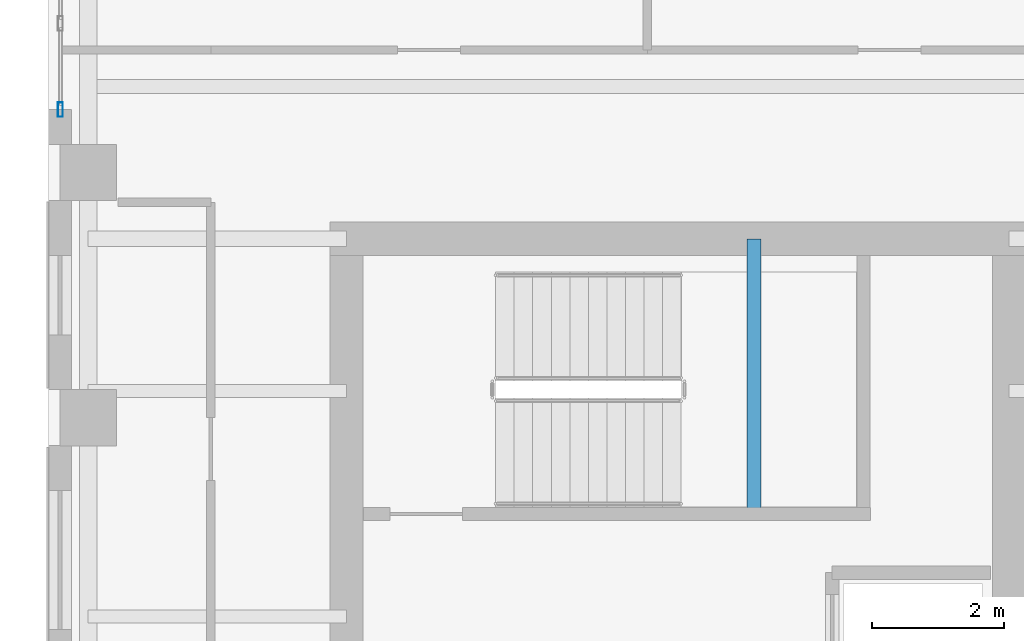
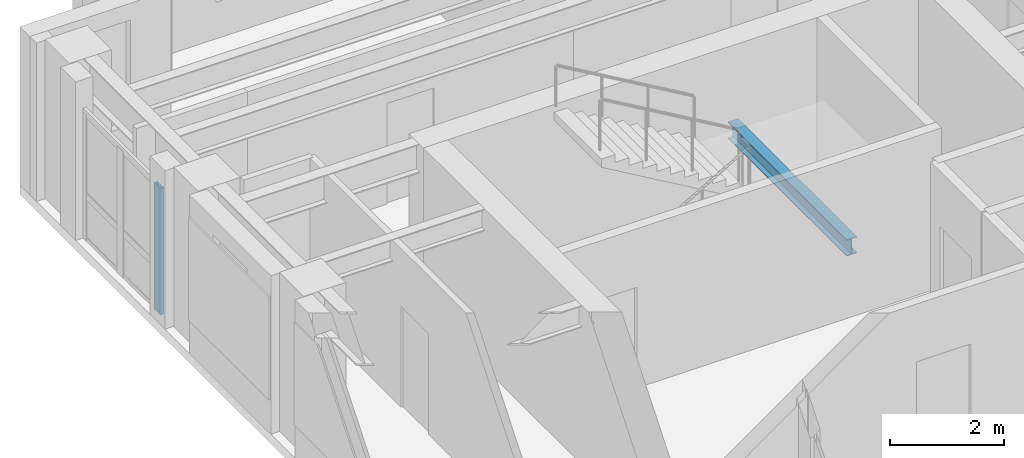
# One storey, part 2 of 10: 1 beam, 1 member, 1 element without a shape of its own.
"""IFC4 building model written with IfcOpenShell, lengths in metres."""

import ifcopenshell
import ifcopenshell.guid

model = None  # the IFC model being written
_history = None  # IfcOwnerHistory: only IFC2X3 demands one
_inside = {}  # id of a spatial element -> (the spatial element, [elements in it])
_under = {}  # id of a project, library or spatial element -> (it, [spatial elements below it])
_declared = {}  # id of a project -> (the project, [libraries it declares])
_typed = {}  # id of a type object -> (the type object, [elements of that type])
_made_of = {}  # id of a material, layer set ... -> (it, [elements and type objects made of it])


def new_model(schema):
    """Start an empty IFC model of exactly this schema.

    Asked for "IFC4X3", IfcOpenShell would pick the latest addendum, in which some entities
    have other attributes; the version numbers below select the first issue.
    IFC2X3 requires an IfcOwnerHistory on every rooted entity: one is made here for all.
    """
    global model, _history
    if schema == "IFC4X3":
        model = ifcopenshell.file(schema_version=(4, 3, 0, 0))
    else:
        model = ifcopenshell.file(schema=schema)
    _inside.clear()
    _under.clear()
    _declared.clear()
    _typed.clear()
    _made_of.clear()
    _history = None
    if model.schema == "IFC2X3":
        org = make("IfcOrganization", Name="unknown")
        user = make(
            "IfcPersonAndOrganization",
            ThePerson=make("IfcPerson", FamilyName="unknown"),
            TheOrganization=org,
        )
        app = make(
            "IfcApplication",
            ApplicationDeveloper=org,
            Version="unknown",
            ApplicationFullName="unknown",
            ApplicationIdentifier="unknown",
        )
        _history = make(
            "IfcOwnerHistory",
            OwningUser=user,
            OwningApplication=app,
            ChangeAction="ADDED",
            CreationDate=0,
        )
    return model


def make(cls, **values):
    """One entity of the class cls with the attributes given. An attribute that is None is left unset."""
    return model.create_entity(
        cls, **{name: value for name, value in values.items() if value is not None}
    )


def rooted(cls, **values):
    """An entity with a GlobalId (a new one), such as an element, a storey or a relation."""
    return make(cls, GlobalId=ifcopenshell.guid.new(), OwnerHistory=_history, **values)


def si_unit(unit_type, name, prefix=None):
    """IfcSIUnit, for example si_unit("LENGTHUNIT", "METRE", prefix="MILLI")."""
    return make("IfcSIUnit", UnitType=unit_type, Prefix=prefix, Name=name)


def assignment(units):
    """IfcUnitAssignment: the units of a project."""
    return None if units is None else make("IfcUnitAssignment", Units=units)


def point(xyz):
    """IfcCartesianPoint."""
    return None if xyz is None else make("IfcCartesianPoint", Coordinates=xyz)


def direction(xyz):
    """IfcDirection."""
    return None if xyz is None else make("IfcDirection", DirectionRatios=xyz)


def frame(location, z_axis=None, x_axis=None):
    """IfcAxis2Placement3D, a coordinate frame: its origin and axes. An axis left out is left unset."""
    return make(
        "IfcAxis2Placement3D",
        Location=point(location),
        Axis=direction(z_axis),
        RefDirection=direction(x_axis),
    )


def frame_2d(location, x_axis=None):
    """IfcAxis2Placement2D, a coordinate frame in the plane: its origin and x axis."""
    return make(
        "IfcAxis2Placement2D", Location=point(location), RefDirection=direction(x_axis)
    )


def origin():
    """The frame at (0, 0, 0) with its axes left unset."""
    return frame((0.0, 0.0, 0.0))


def origin_2d():
    """The frame at (0, 0) in the plane with its x axis left unset."""
    return frame_2d((0.0, 0.0))


def place(relative_to, where):
    """IfcLocalPlacement: puts the frame where relative to a parent placement (None: the world)."""
    return make(
        "IfcLocalPlacement", PlacementRelTo=relative_to, RelativePlacement=where
    )


def context(
    kind, dimensions, precision=None, world=None, true_north=None, identifier=None
):
    """IfcGeometricRepresentationContext, for example the 3D "Model" context."""
    return make(
        "IfcGeometricRepresentationContext",
        ContextIdentifier=identifier,
        ContextType=kind,
        CoordinateSpaceDimension=dimensions,
        Precision=precision,
        WorldCoordinateSystem=world,
        TrueNorth=true_north,
    )


def subcontext(parent, identifier, kind, view, scale=None):
    """IfcGeometricRepresentationSubContext, for example "Body" below "Model"."""
    return make(
        "IfcGeometricRepresentationSubContext",
        ContextIdentifier=identifier,
        ContextType=kind,
        ParentContext=parent,
        TargetScale=scale,
        TargetView=view,
    )


def project(units=None, contexts=None):
    """IfcProject with its units and contexts."""
    return rooted(
        "IfcProject",
        Name="project",
        RepresentationContexts=contexts,
        UnitsInContext=assignment(units),
    )


def spatial(cls, under=None, at=None, **own):
    """A site, building, storey or space (cls), placed at a placement, below another one or the project."""
    s = rooted(cls, ObjectPlacement=at, **own)
    if under is not None:
        _under.setdefault(under.id(), (under, []))[1].append(s)
    return s


def profile(cls, at=None, kind="AREA", **sizes):
    """A parametric profile (cls). Its sizes go by their IFC names, for example OverallWidth=200.0."""
    return make(cls, ProfileType=kind, Position=at, **sizes)


def hollow_rectangle(**sizes):
    """IfcRectangleHollowProfileDef."""
    return profile("IfcRectangleHollowProfileDef", **sizes)


def i_section(**sizes):
    """IfcIShapeProfileDef."""
    return profile("IfcIShapeProfileDef", **sizes)


def extrude(swept, where, along, depth):
    """IfcExtrudedAreaSolid: the profile swept, set in the frame where, extruded along a direction by depth."""
    return make(
        "IfcExtrudedAreaSolid",
        SweptArea=swept,
        Position=where,
        ExtrudedDirection=direction(along),
        Depth=depth,
    )


def shape(context_of_items, identifier, shape_type, items):
    """IfcShapeRepresentation: the items that make up one representation, for example the "Body"."""
    return make(
        "IfcShapeRepresentation",
        ContextOfItems=context_of_items,
        RepresentationIdentifier=identifier,
        RepresentationType=shape_type,
        Items=items,
    )


def source(mapping_origin, context_of_items, identifier, shape_type, items):
    """IfcRepresentationMap: a shape defined once, which mapped items show again and again."""
    return make(
        "IfcRepresentationMap",
        MappingOrigin=mapping_origin,
        MappedRepresentation=shape(context_of_items, identifier, shape_type, items),
    )


def transform(
    local_origin,
    x_axis=None,
    y_axis=None,
    z_axis=None,
    scale=None,
    scale2=None,
    scale3=None,
    uniform=True,
):
    """IfcCartesianTransformationOperator3D, or its non-uniform kind. x_axis, y_axis, z_axis: its Axis1, 2, 3."""
    if uniform:
        return make(
            "IfcCartesianTransformationOperator3D",
            Axis1=direction(x_axis),
            Axis2=direction(y_axis),
            LocalOrigin=point(local_origin),
            Scale=scale,
            Axis3=direction(z_axis),
        )
    return make(
        "IfcCartesianTransformationOperator3DnonUniform",
        Axis1=direction(x_axis),
        Axis2=direction(y_axis),
        LocalOrigin=point(local_origin),
        Scale=scale,
        Axis3=direction(z_axis),
        Scale2=scale2,
        Scale3=scale3,
    )


def mapped(mapping_source, mapping_target):
    """IfcMappedItem: shows the shape of a source again, moved by a transform."""
    return make(
        "IfcMappedItem", MappingSource=mapping_source, MappingTarget=mapping_target
    )


def material(Name=None, Category=None):
    """IfcMaterial."""
    return make("IfcMaterial", Name=Name, Category=Category)


def layer(
    of_material, thickness, ventilated=None, Name=None, Category=None, Priority=None
):
    """IfcMaterialLayer: one layer of a wall or slab, of a material (None: an air gap)."""
    return make(
        "IfcMaterialLayer",
        Material=of_material,
        LayerThickness=thickness,
        IsVentilated=ventilated,
        Name=Name,
        Category=Category,
        Priority=Priority,
    )


def layer_set(layers, Name=None):
    """IfcMaterialLayerSet."""
    return make("IfcMaterialLayerSet", MaterialLayers=layers, LayerSetName=Name)


def material_profile(
    of_material, cross_section, Name=None, Category=None, Priority=None
):
    """IfcMaterialProfile: a cross section and its material."""
    return make(
        "IfcMaterialProfile",
        Name=Name,
        Material=of_material,
        Profile=cross_section,
        Priority=Priority,
        Category=Category,
    )


def profile_set(profiles, Name=None, composite=None):
    """IfcMaterialProfileSet."""
    return make(
        "IfcMaterialProfileSet",
        Name=Name,
        MaterialProfiles=profiles,
        CompositeProfile=composite,
    )


def made_of(thing, what):
    """Note that an element or type object is made of a material, layer set ...; save() writes the relation."""
    if what is not None:
        _made_of.setdefault(what.id(), (what, []))[1].append(thing)
    return thing


def type_object(cls, material=None, **own):
    """A type object (cls), such as IfcWallType, which elements share."""
    return made_of(rooted(cls, **own), material)


def element(
    cls,
    number,
    at=None,
    inside=None,
    cuts=None,
    type_object=None,
    material=None,
    context=None,
    identifier="Body",
    shape_type=None,
    held_by="IfcProductDefinitionShape",
    body=None,
    shapes=None,
    **own,
):
    """One element of the class cls, such as IfcWall. Its Tag is "e" and its number.

    at: its placement. inside: the storey or other place that contains it. cuts: it is an
    opening in that element (IfcRelVoidsElement). A single representation is given by context,
    identifier, shape_type and body (its items); several are given by shapes. held_by: the class
    of the entity that holds the representations. save() writes the other relations.
    """
    e = rooted(cls, Tag="e%d" % number, ObjectPlacement=at, **own)
    if body is not None:
        shapes = [shape(context, identifier, shape_type, body)]
    if shapes is not None:
        e.Representation = make(held_by, Representations=shapes)
    if inside is not None:
        _inside.setdefault(inside.id(), (inside, []))[1].append(e)
    if cuts is not None:
        rooted(
            "IfcRelVoidsElement", RelatingBuildingElement=cuts, RelatedOpeningElement=e
        )
    if type_object is not None:
        _typed.setdefault(type_object.id(), (type_object, []))[1].append(e)
    return made_of(e, material)


def aggregate(whole, parts):
    """IfcRelAggregates: a whole, such as a stair, and the parts it consists of."""
    return rooted("IfcRelAggregates", RelatingObject=whole, RelatedObjects=parts)


def save(model, path):
    """Write the relations noted so far, then the file.

    IfcRelAggregates (storeys below a building ...), IfcRelContainedInSpatialStructure (elements
    in a storey), IfcRelDefinesByType, IfcRelAssociatesMaterial and IfcRelDeclares: one each for
    every whole, place, type object, material and project.
    """
    for whole, parts in _under.values():
        aggregate(whole, parts)
    for where, things in _inside.values():
        rooted(
            "IfcRelContainedInSpatialStructure",
            RelatedElements=things,
            RelatingStructure=where,
        )
    for kind, things in _typed.values():
        rooted("IfcRelDefinesByType", RelatedObjects=things, RelatingType=kind)
    for what, things in _made_of.values():
        rooted("IfcRelAssociatesMaterial", RelatedObjects=things, RelatingMaterial=what)
    for by, libraries in _declared.values():
        rooted("IfcRelDeclares", RelatingContext=by, RelatedDefinitions=libraries)
    model.write(path)


model = new_model("IFC4")

# Units and contexts
model_context = context("Model", 3, precision=1e-05, world=origin(), true_north=direction((0.0, 1.0)))
body_context = subcontext(model_context, "Body", "Model", "MODEL_VIEW")
ifc_project = project(units=[si_unit("LENGTHUNIT", "METRE"), si_unit("AREAUNIT", "SQUARE_METRE"), si_unit("VOLUMEUNIT", "CUBIC_METRE"), si_unit("PLANEANGLEUNIT", "RADIAN"), si_unit("MASSUNIT", "GRAM", prefix="KILO")], contexts=[model_context])

# Site, building, storey
site_placement = place(None, origin())
site = spatial("IfcSite", under=ifc_project, at=site_placement, CompositionType="ELEMENT")
building_placement = place(site_placement, origin())
building = spatial("IfcBuilding", under=site, at=building_placement, Name="Kharzan Plaza Tower", CompositionType="ELEMENT")
storey_placement = place(building_placement, frame((0.0, 0.0, 266.39990234375)))
storey = spatial("IfcBuildingStorey", under=building, at=storey_placement, Name="L72", CompositionType="ELEMENT", Elevation=266.39990234375)

# Beam
ifc_material_1 = material(Name="Steel S355", Category="steel")
ifc_material_profile_1 = material_profile(ifc_material_1, i_section(OverallWidth=0.205078125, OverallDepth=0.35400390625, WebThickness=0.009521484375, FlangeThickness=0.016845703125, at=origin_2d()), Name="W360x79")
ifc_profile_set_1 = profile_set([ifc_material_profile_1], Name="Steel S355")
beam_type = type_object("IfcBeamType", Name="BM-LNT360", PredefinedType="LINTEL", material=ifc_profile_set_1)
shared_shape_1 = source(origin(), body_context, "Body", "SweptSolid", [
    extrude(i_section(OverallWidth=0.205078125, OverallDepth=0.35400390625, WebThickness=0.009521484375, FlangeThickness=0.016845703125, at=origin_2d()), origin(), (0.0, 0.0, 1.0), 4.155029296875),
])
beam_placement = place(storey_placement, frame((10.64990234375, 25.344970703125, 1.423095703125), z_axis=(0.0, 1.0, 0.0), x_axis=(-1.0, 0.0, 0.0)))
element("IfcBeam", 1, at=beam_placement, inside=storey, type_object=beam_type, Name="L72 Stair ST-2 Half-Landing Beam", PredefinedType="LINTEL", context=body_context, shape_type="MappedRepresentation", body=[
    mapped(shared_shape_1, transform((0.0, 0.0, 0.0), x_axis=(1.0, 0.0, 0.0), y_axis=(0.0, 1.0, 0.0), z_axis=(0.0, 0.0, 1.0))),
])

# Curtain wall, member
ifc_material_2 = material(Name="Unitised Bronze-Anodized Aluminium and Low-E Glass", Category="aluminium")
ifc_layer = layer(ifc_material_2, 0.199951171875)
ifc_layer_set = layer_set([ifc_layer], Name="Unitised Bronze-Anodized Aluminium and Low-E Glass")
curtain_wall_type = type_object("IfcCurtainWallType", Name="CW-EXEC-5", PredefinedType="NOTDEFINED", material=ifc_layer_set)
curtain_wall_placement = place(storey_placement, origin())
curtain_wall = element("IfcCurtainWall", 2, at=curtain_wall_placement, inside=storey, type_object=curtain_wall_type, Name="L72 Upper Executive Setback Panoramic Curtain Wall", PredefinedType="NOTDEFINED")
ifc_material_3 = material(Name="Anodized Bronze Aluminium", Category="aluminium")
ifc_material_profile_2 = material_profile(ifc_material_3, hollow_rectangle(XDim=0.074951171875, YDim=0.219970703125, WallThickness=0.00390625, at=origin_2d()), Name="ALU-M220x75x4")
ifc_profile_set_2 = profile_set([ifc_material_profile_2], Name="Anodized Bronze Aluminium")
member_type = type_object("IfcMemberType", Name="MEM-CW-MUL200", PredefinedType="MULLION", material=ifc_profile_set_2)
shared_shape_2 = source(origin(), body_context, "Body", "SweptSolid", [
    extrude(hollow_rectangle(XDim=0.074951171875, YDim=0.219970703125, WallThickness=0.00390625, at=origin_2d()), origin(), (0.0, 0.0, 1.0), 2.7001953125),
])
member_placement = place(storey_placement, frame((0.179931640625, 31.449951171875, 0.0), z_axis=(0.0, 0.0, 1.0), x_axis=(1.0, 0.0, 0.0)))
member = element("IfcMember", 3, at=member_placement, type_object=member_type, Name="L72 Curtain-Wall Mullion 00", PredefinedType="MULLION", context=body_context, shape_type="MappedRepresentation", body=[
    mapped(shared_shape_2, transform((0.0, 0.0, 0.0), x_axis=(1.0, 0.0, 0.0), y_axis=(0.0, 1.0, 0.0), z_axis=(0.0, 0.0, 1.0))),
])
aggregate(curtain_wall, [member])

save(model, "model.ifc")
